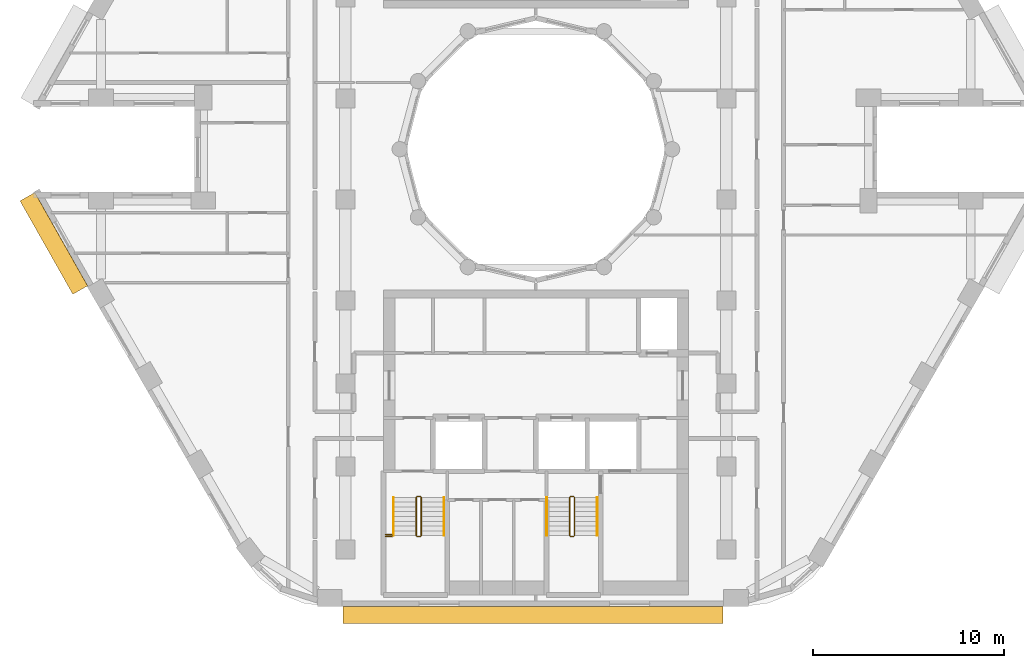
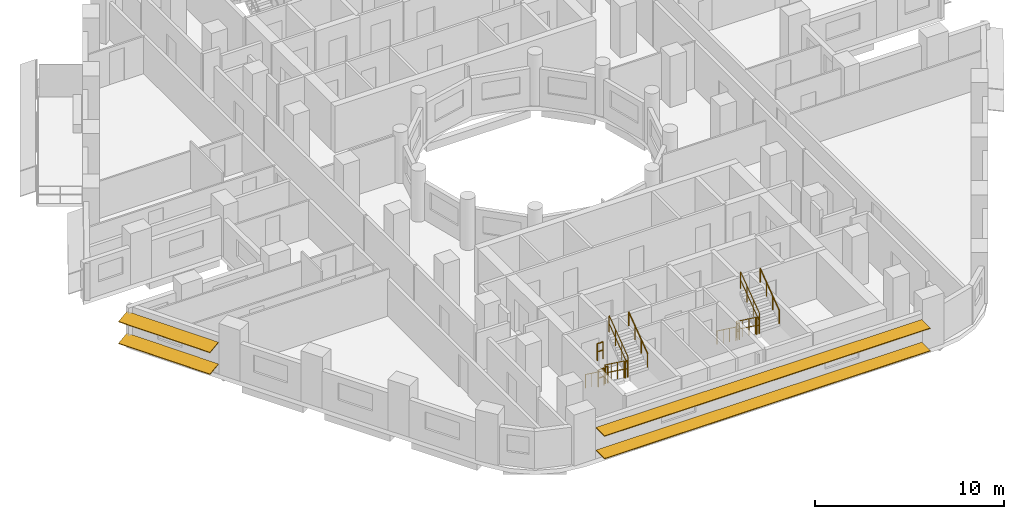
# One storey, part 11 of 13: 14 railings, 4 shading devices.
"""IFC4 building model written with IfcOpenShell, lengths in metres."""

from ifc_helpers import new_model, si_unit, direction, frame, origin, origin_2d, place, context, subcontext, project, spatial, rectangle, circle, extrude, material, material_profile, profile_set, type_object, element, save


model = new_model("IFC4")

# Units and contexts
model_context = context("Model", 3, precision=1e-05, world=origin(), true_north=direction((0.0, 1.0)))
body_context = subcontext(model_context, "Body", "Model", "MODEL_VIEW")
ifc_project = project(units=[si_unit("LENGTHUNIT", "METRE"), si_unit("AREAUNIT", "SQUARE_METRE"), si_unit("VOLUMEUNIT", "CUBIC_METRE"), si_unit("PLANEANGLEUNIT", "RADIAN"), si_unit("MASSUNIT", "GRAM", prefix="KILO")], contexts=[model_context])

# Site, building, storey
site_placement = place(None, origin())
site = spatial("IfcSite", under=ifc_project, at=site_placement, CompositionType="ELEMENT")
building_placement = place(site_placement, origin())
building = spatial("IfcBuilding", under=site, at=building_placement, Name="Nakaniwa Court", CompositionType="ELEMENT")
storey_placement = place(building_placement, frame((0.0, 0.0, 143.699951171875)))
storey = spatial("IfcBuildingStorey", under=building, at=storey_placement, Name="L37", CompositionType="ELEMENT", Elevation=143.699951171875)

# Shading devices
ifc_material_1 = material(Name="Perforated charcoal ceramic louvre blade")
ifc_material_profile = material_profile(ifc_material_1, rectangle(XDim=0.89990234375, YDim=0.050048828125, at=origin_2d()), Name="Perforated ceramic louvre blade")
ifc_profile_set = profile_set([ifc_material_profile], Name="Perforated charcoal ceramic louvre blade")
shading_device_type = type_object("IfcShadingDeviceType", Name="Perforated ceramic louvre blade", PredefinedType="JALOUSIE", material=ifc_profile_set)
for number, where, z_axis, x_axis, name in (
    (1, (53.31689453125, 77.5078125, 0.550048828125), (0.49253187421, -0.870294405869, 0.0), (0.862649339692, 0.488205247786, 0.132256390257), "L37 perforated ceramic louvre blade w20 1"),
    (2, (53.31689453125, 77.5078125, 1.955810546875), (0.49253187421, -0.870294405869, 0.0), (0.862649339692, 0.488205247786, 0.132256390257), "L37 perforated ceramic louvre blade w20 2"),
):
    element("IfcShadingDevice", number, at=place(storey_placement, frame(where, z_axis=z_axis, x_axis=x_axis)), inside=storey, type_object=shading_device_type, Name=name, PredefinedType="JALOUSIE", context=body_context, shape_type="SweptSolid", body=[
        extrude(rectangle(XDim=0.89990234375, YDim=0.050048828125, at=origin_2d()), origin(), (0.0, 0.0, 1.0), 5.62646484375),
    ])
for number, where, z_axis, x_axis, name in (
    (3, (69.871337890625, 55.550048828125, 0.550048828125), (1.0, 0.0, 0.0), (0.0, 1.0, 0.0), "L37 perforated ceramic louvre blade w26 1"),
    (4, (69.871337890625, 55.550048828125, 2.01513671875), (1.0, 0.0, 0.0), (0.0, 1.0, 0.0), "L37 perforated ceramic louvre blade w26 2"),
):
    element("IfcShadingDevice", number, at=place(storey_placement, frame(where, z_axis=z_axis, x_axis=x_axis)), inside=storey, type_object=shading_device_type, Name=name, PredefinedType="JALOUSIE", context=body_context, shape_type="SweptSolid", body=[
        extrude(rectangle(XDim=0.89990234375, YDim=0.050048828125, at=origin_2d()), origin(), (0.0, 0.0, 1.0), 19.939697265625),
    ])

# Railings
ifc_material_2 = material(Name="Black powder coated steel guard", Category="steel")
railing_type_1 = type_object("IfcRailingType", Name="Stair guard 1100", PredefinedType="GUARDRAIL", material=ifc_material_2)
railing_1_placement = place(storey_placement, frame((73.72509765625, 61.72509765625, 0.183349609375)))
element("IfcRailing", 5, at=railing_1_placement, inside=storey, type_object=railing_type_1, Name="L37 ST3 stair guard 1", PredefinedType="GUARDRAIL", context=body_context, shape_type="SweptSolid", body=[
    extrude(circle(Radius=0.02392578125, at=origin_2d()), frame((0.0, 0.0, 1.076171875), z_axis=(0.0, -0.806379959628, 0.591397802423), x_axis=(1.0, 0.0, 0.0)), (0.0, 0.0, 1.0), 2.480224609375),
    extrude(circle(Radius=0.02392578125, at=origin_2d()), frame((0.0, 0.0, 0.550048828125), z_axis=(0.0, -0.806379959628, 0.591397802423), x_axis=(1.0, 0.0, 0.0)), (0.0, 0.0, 1.0), 2.480224609375),
    extrude(circle(Radius=0.02099609375, at=origin_2d()), origin(), (0.0, 0.0, 1.0), 1.052001953125),
    extrude(circle(Radius=0.02099609375, at=origin_2d()), frame((0.0, -0.666748046875, 0.489013671875)), (0.0, 0.0, 1.0), 1.052001953125),
    extrude(circle(Radius=0.02099609375, at=origin_2d()), frame((0.0, -1.333251953125, 0.977783203125)), (0.0, 0.0, 1.0), 1.052001953125),
    extrude(circle(Radius=0.02099609375, at=origin_2d()), frame((0.0, -2.0, 1.466796875)), (0.0, 0.0, 1.0), 1.052001953125),
])
railing_2_placement = place(storey_placement, frame((73.77490234375, 59.675048828125, 1.650146484375)))
element("IfcRailing", 6, at=railing_2_placement, inside=storey, type_object=railing_type_1, Name="L37 ST3 stair guard 2", PredefinedType="GUARDRAIL", context=body_context, shape_type="SweptSolid", body=[
    extrude(circle(Radius=0.02392578125, at=origin_2d()), frame((0.0, 0.0, 1.076171875), z_axis=(1.0, 0.0, 0.0), x_axis=(0.0, 1.0, 0.0)), (0.0, 0.0, 1.0), 0.150146484375),
    extrude(circle(Radius=0.02392578125, at=origin_2d()), frame((0.0, 0.0, 0.550048828125), z_axis=(1.0, 0.0, 0.0), x_axis=(0.0, 1.0, 0.0)), (0.0, 0.0, 1.0), 0.150146484375),
    extrude(circle(Radius=0.02099609375, at=origin_2d()), origin(), (0.0, 0.0, 1.0), 1.052001953125),
    extrude(circle(Radius=0.02099609375, at=origin_2d()), frame((0.150146484375, 0.0, 0.0)), (0.0, 0.0, 1.0), 1.052001953125),
])
railing_3_placement = place(storey_placement, frame((73.97509765625, 59.72509765625, 1.83349609375)))
element("IfcRailing", 7, at=railing_3_placement, inside=storey, type_object=railing_type_1, Name="L37 ST3 stair guard 3", PredefinedType="GUARDRAIL", context=body_context, shape_type="SweptSolid", body=[
    extrude(circle(Radius=0.02392578125, at=origin_2d()), frame((0.0, 0.0, 1.076171875), z_axis=(0.0, 0.806426902644, 0.591333789573), x_axis=(-1.0, 0.0, 0.0)), (0.0, 0.0, 1.0), 2.47998046875),
    extrude(circle(Radius=0.02392578125, at=origin_2d()), frame((0.0, 0.0, 0.550048828125), z_axis=(0.0, 0.806426902644, 0.591333789573), x_axis=(-1.0, 0.0, 0.0)), (0.0, 0.0, 1.0), 2.47998046875),
    extrude(circle(Radius=0.02099609375, at=origin_2d()), origin(), (0.0, 0.0, 1.0), 1.052001953125),
    extrude(circle(Radius=0.02099609375, at=origin_2d()), frame((0.0, 0.666748046875, 0.48876953125)), (0.0, 0.0, 1.0), 1.052001953125),
    extrude(circle(Radius=0.02099609375, at=origin_2d()), frame((0.0, 1.333251953125, 0.977783203125)), (0.0, 0.0, 1.0), 1.052001953125),
    extrude(circle(Radius=0.02099609375, at=origin_2d()), frame((0.0, 2.0, 1.466552734375)), (0.0, 0.0, 1.0), 1.052001953125),
])
railing_4_placement = place(storey_placement, frame((73.77490234375, 61.77490234375, 0.0)))
element("IfcRailing", 8, at=railing_4_placement, inside=storey, type_object=railing_type_1, Name="L37 ST3 stair guard 4", PredefinedType="GUARDRAIL", context=body_context, shape_type="SweptSolid", body=[
    extrude(circle(Radius=0.02392578125, at=origin_2d()), frame((0.0, 0.0, 1.076171875), z_axis=(1.0, 0.0, 0.0), x_axis=(0.0, 1.0, 0.0)), (0.0, 0.0, 1.0), 0.150146484375),
    extrude(circle(Radius=0.02392578125, at=origin_2d()), frame((0.0, 0.0, 0.550048828125), z_axis=(1.0, 0.0, 0.0), x_axis=(0.0, 1.0, 0.0)), (0.0, 0.0, 1.0), 0.150146484375),
    extrude(circle(Radius=0.02099609375, at=origin_2d()), origin(), (0.0, 0.0, 1.0), 1.052001953125),
    extrude(circle(Radius=0.02099609375, at=origin_2d()), frame((0.150146484375, 0.0, 0.0)), (0.0, 0.0, 1.0), 1.052001953125),
])
for number, where, name in (
    (9, (72.125, 59.675048828125, 1.650146484375), "L37 ST3 landing side guard 1W"),
    (10, (72.125, 59.77490234375, 3.300048828125), "L37 ST3 floor edge guard 1W"),
):
    element("IfcRailing", number, at=place(storey_placement, frame(where)), inside=storey, type_object=railing_type_1, Name=name, PredefinedType="GUARDRAIL", context=body_context, shape_type="SweptSolid", body=[
        extrude(circle(Radius=0.02392578125, at=origin_2d()), frame((0.0, 0.0, 1.076171875), z_axis=(1.0, 0.0, 0.0), x_axis=(0.0, 1.0, 0.0)), (0.0, 0.0, 1.0), 0.35009765625),
        extrude(circle(Radius=0.02392578125, at=origin_2d()), frame((0.0, 0.0, 0.550048828125), z_axis=(1.0, 0.0, 0.0), x_axis=(0.0, 1.0, 0.0)), (0.0, 0.0, 1.0), 0.35009765625),
        extrude(circle(Radius=0.02099609375, at=origin_2d()), origin(), (0.0, 0.0, 1.0), 1.052001953125),
        extrude(circle(Radius=0.02099609375, at=origin_2d()), frame((0.35009765625, 0.0, 0.0)), (0.0, 0.0, 1.0), 1.052001953125),
    ])
railing_5_placement = place(storey_placement, frame((81.77490234375, 61.72509765625, 0.183349609375)))
element("IfcRailing", 11, at=railing_5_placement, inside=storey, type_object=railing_type_1, Name="L37 ST4 stair guard 1", PredefinedType="GUARDRAIL", context=body_context, shape_type="SweptSolid", body=[
    extrude(circle(Radius=0.02392578125, at=origin_2d()), frame((0.0, 0.0, 1.076171875), z_axis=(0.0, -0.806379959628, 0.591397802423), x_axis=(1.0, 0.0, 0.0)), (0.0, 0.0, 1.0), 2.480224609375),
    extrude(circle(Radius=0.02392578125, at=origin_2d()), frame((0.0, 0.0, 0.550048828125), z_axis=(0.0, -0.806379959628, 0.591397802423), x_axis=(1.0, 0.0, 0.0)), (0.0, 0.0, 1.0), 2.480224609375),
    extrude(circle(Radius=0.02099609375, at=origin_2d()), origin(), (0.0, 0.0, 1.0), 1.052001953125),
    extrude(circle(Radius=0.02099609375, at=origin_2d()), frame((0.0, -0.666748046875, 0.489013671875)), (0.0, 0.0, 1.0), 1.052001953125),
    extrude(circle(Radius=0.02099609375, at=origin_2d()), frame((0.0, -1.333251953125, 0.977783203125)), (0.0, 0.0, 1.0), 1.052001953125),
    extrude(circle(Radius=0.02099609375, at=origin_2d()), frame((0.0, -2.0, 1.466796875)), (0.0, 0.0, 1.0), 1.052001953125),
])
railing_6_placement = place(storey_placement, frame((81.824951171875, 59.675048828125, 1.650146484375)))
element("IfcRailing", 12, at=railing_6_placement, inside=storey, type_object=railing_type_1, Name="L37 ST4 stair guard 2", PredefinedType="GUARDRAIL", context=body_context, shape_type="SweptSolid", body=[
    extrude(circle(Radius=0.02392578125, at=origin_2d()), frame((0.0, 0.0, 1.076171875), z_axis=(1.0, 0.0, 0.0), x_axis=(0.0, 1.0, 0.0)), (0.0, 0.0, 1.0), 0.150146484375),
    extrude(circle(Radius=0.02392578125, at=origin_2d()), frame((0.0, 0.0, 0.550048828125), z_axis=(1.0, 0.0, 0.0), x_axis=(0.0, 1.0, 0.0)), (0.0, 0.0, 1.0), 0.150146484375),
    extrude(circle(Radius=0.02099609375, at=origin_2d()), origin(), (0.0, 0.0, 1.0), 1.052001953125),
    extrude(circle(Radius=0.02099609375, at=origin_2d()), frame((0.150146484375, 0.0, 0.0)), (0.0, 0.0, 1.0), 1.052001953125),
])
railing_7_placement = place(storey_placement, frame((82.02490234375, 59.72509765625, 1.83349609375)))
element("IfcRailing", 13, at=railing_7_placement, inside=storey, type_object=railing_type_1, Name="L37 ST4 stair guard 3", PredefinedType="GUARDRAIL", context=body_context, shape_type="SweptSolid", body=[
    extrude(circle(Radius=0.02392578125, at=origin_2d()), frame((0.0, 0.0, 1.076171875), z_axis=(0.0, 0.806426902644, 0.591333789573), x_axis=(-1.0, 0.0, 0.0)), (0.0, 0.0, 1.0), 2.47998046875),
    extrude(circle(Radius=0.02392578125, at=origin_2d()), frame((0.0, 0.0, 0.550048828125), z_axis=(0.0, 0.806426902644, 0.591333789573), x_axis=(-1.0, 0.0, 0.0)), (0.0, 0.0, 1.0), 2.47998046875),
    extrude(circle(Radius=0.02099609375, at=origin_2d()), origin(), (0.0, 0.0, 1.0), 1.052001953125),
    extrude(circle(Radius=0.02099609375, at=origin_2d()), frame((0.0, 0.666748046875, 0.48876953125)), (0.0, 0.0, 1.0), 1.052001953125),
    extrude(circle(Radius=0.02099609375, at=origin_2d()), frame((0.0, 1.333251953125, 0.977783203125)), (0.0, 0.0, 1.0), 1.052001953125),
    extrude(circle(Radius=0.02099609375, at=origin_2d()), frame((0.0, 2.0, 1.466552734375)), (0.0, 0.0, 1.0), 1.052001953125),
])
railing_8_placement = place(storey_placement, frame((81.824951171875, 61.77490234375, 0.0)))
element("IfcRailing", 14, at=railing_8_placement, inside=storey, type_object=railing_type_1, Name="L37 ST4 stair guard 4", PredefinedType="GUARDRAIL", context=body_context, shape_type="SweptSolid", body=[
    extrude(circle(Radius=0.02392578125, at=origin_2d()), frame((0.0, 0.0, 1.076171875), z_axis=(1.0, 0.0, 0.0), x_axis=(0.0, 1.0, 0.0)), (0.0, 0.0, 1.0), 0.150146484375),
    extrude(circle(Radius=0.02392578125, at=origin_2d()), frame((0.0, 0.0, 0.550048828125), z_axis=(1.0, 0.0, 0.0), x_axis=(0.0, 1.0, 0.0)), (0.0, 0.0, 1.0), 0.150146484375),
    extrude(circle(Radius=0.02099609375, at=origin_2d()), origin(), (0.0, 0.0, 1.0), 1.052001953125),
    extrude(circle(Radius=0.02099609375, at=origin_2d()), frame((0.150146484375, 0.0, 0.0)), (0.0, 0.0, 1.0), 1.052001953125),
])
ifc_material_3 = material(Name="Black powder coated steel handrail", Category="steel")
railing_type_2 = type_object("IfcRailingType", Name="Stair handrail 900", PredefinedType="HANDRAIL", material=ifc_material_3)
railing_9_placement = place(storey_placement, frame((72.52490234375, 61.72509765625, 0.183349609375)))
element("IfcRailing", 15, at=railing_9_placement, inside=storey, type_object=railing_type_2, Name="L37 ST3 stair handrail 1", PredefinedType="HANDRAIL", context=body_context, shape_type="SweptSolid", body=[
    extrude(circle(Radius=0.02392578125, at=origin_2d()), frame((0.0, 0.0, 0.8759765625), z_axis=(0.0, -0.806379959628, 0.591397802423), x_axis=(1.0, 0.0, 0.0)), (0.0, 0.0, 1.0), 2.480224609375),
    extrude(circle(Radius=0.02099609375, at=origin_2d()), origin(), (0.0, 0.0, 1.0), 0.851806640625),
    extrude(circle(Radius=0.02099609375, at=origin_2d()), frame((0.0, -0.666748046875, 0.489013671875)), (0.0, 0.0, 1.0), 0.851806640625),
    extrude(circle(Radius=0.02099609375, at=origin_2d()), frame((0.0, -1.333251953125, 0.977783203125)), (0.0, 0.0, 1.0), 0.851806640625),
    extrude(circle(Radius=0.02099609375, at=origin_2d()), frame((0.0, -2.0, 1.466796875)), (0.0, 0.0, 1.0), 0.851806640625),
])
railing_10_placement = place(storey_placement, frame((75.175048828125, 59.72509765625, 1.83349609375)))
element("IfcRailing", 16, at=railing_10_placement, inside=storey, type_object=railing_type_2, Name="L37 ST3 stair handrail 2", PredefinedType="HANDRAIL", context=body_context, shape_type="SweptSolid", body=[
    extrude(circle(Radius=0.02392578125, at=origin_2d()), frame((0.0, 0.0, 0.8759765625), z_axis=(0.0, 0.806426902644, 0.591333789573), x_axis=(-1.0, 0.0, 0.0)), (0.0, 0.0, 1.0), 2.47998046875),
    extrude(circle(Radius=0.02099609375, at=origin_2d()), origin(), (0.0, 0.0, 1.0), 0.851806640625),
    extrude(circle(Radius=0.02099609375, at=origin_2d()), frame((0.0, 0.666748046875, 0.48876953125)), (0.0, 0.0, 1.0), 0.851806640625),
    extrude(circle(Radius=0.02099609375, at=origin_2d()), frame((0.0, 1.333251953125, 0.977783203125)), (0.0, 0.0, 1.0), 0.851806640625),
    extrude(circle(Radius=0.02099609375, at=origin_2d()), frame((0.0, 2.0, 1.466552734375)), (0.0, 0.0, 1.0), 0.851806640625),
])
railing_11_placement = place(storey_placement, frame((80.574951171875, 61.72509765625, 0.183349609375)))
element("IfcRailing", 17, at=railing_11_placement, inside=storey, type_object=railing_type_2, Name="L37 ST4 stair handrail 1", PredefinedType="HANDRAIL", context=body_context, shape_type="SweptSolid", body=[
    extrude(circle(Radius=0.02392578125, at=origin_2d()), frame((0.0, 0.0, 0.8759765625), z_axis=(0.0, -0.806379959628, 0.591397802423), x_axis=(1.0, 0.0, 0.0)), (0.0, 0.0, 1.0), 2.480224609375),
    extrude(circle(Radius=0.02099609375, at=origin_2d()), origin(), (0.0, 0.0, 1.0), 0.851806640625),
    extrude(circle(Radius=0.02099609375, at=origin_2d()), frame((0.0, -0.666748046875, 0.489013671875)), (0.0, 0.0, 1.0), 0.851806640625),
    extrude(circle(Radius=0.02099609375, at=origin_2d()), frame((0.0, -1.333251953125, 0.977783203125)), (0.0, 0.0, 1.0), 0.851806640625),
    extrude(circle(Radius=0.02099609375, at=origin_2d()), frame((0.0, -2.0, 1.466796875)), (0.0, 0.0, 1.0), 0.851806640625),
])
railing_12_placement = place(storey_placement, frame((83.22509765625, 59.72509765625, 1.83349609375)))
element("IfcRailing", 18, at=railing_12_placement, inside=storey, type_object=railing_type_2, Name="L37 ST4 stair handrail 2", PredefinedType="HANDRAIL", context=body_context, shape_type="SweptSolid", body=[
    extrude(circle(Radius=0.02392578125, at=origin_2d()), frame((0.0, 0.0, 0.8759765625), z_axis=(0.0, 0.806426902644, 0.591333789573), x_axis=(-1.0, 0.0, 0.0)), (0.0, 0.0, 1.0), 2.47998046875),
    extrude(circle(Radius=0.02099609375, at=origin_2d()), origin(), (0.0, 0.0, 1.0), 0.851806640625),
    extrude(circle(Radius=0.02099609375, at=origin_2d()), frame((0.0, 0.666748046875, 0.48876953125)), (0.0, 0.0, 1.0), 0.851806640625),
    extrude(circle(Radius=0.02099609375, at=origin_2d()), frame((0.0, 1.333251953125, 0.977783203125)), (0.0, 0.0, 1.0), 0.851806640625),
    extrude(circle(Radius=0.02099609375, at=origin_2d()), frame((0.0, 2.0, 1.466552734375)), (0.0, 0.0, 1.0), 0.851806640625),
])

save(model, "model.ifc")
